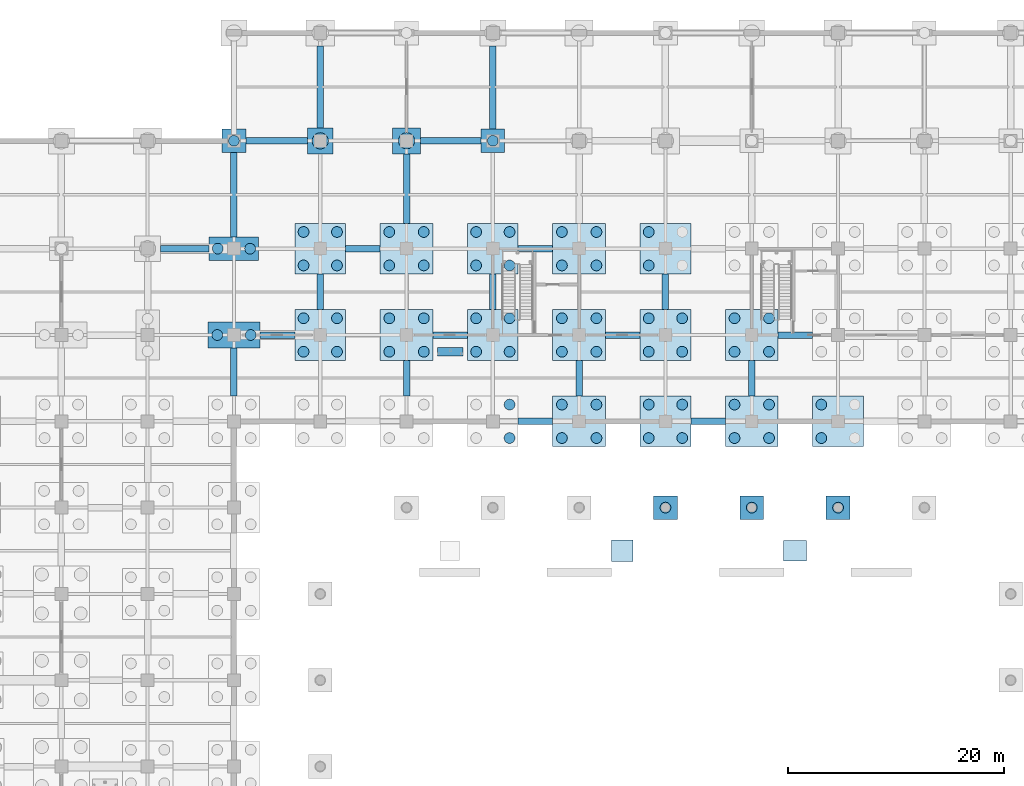
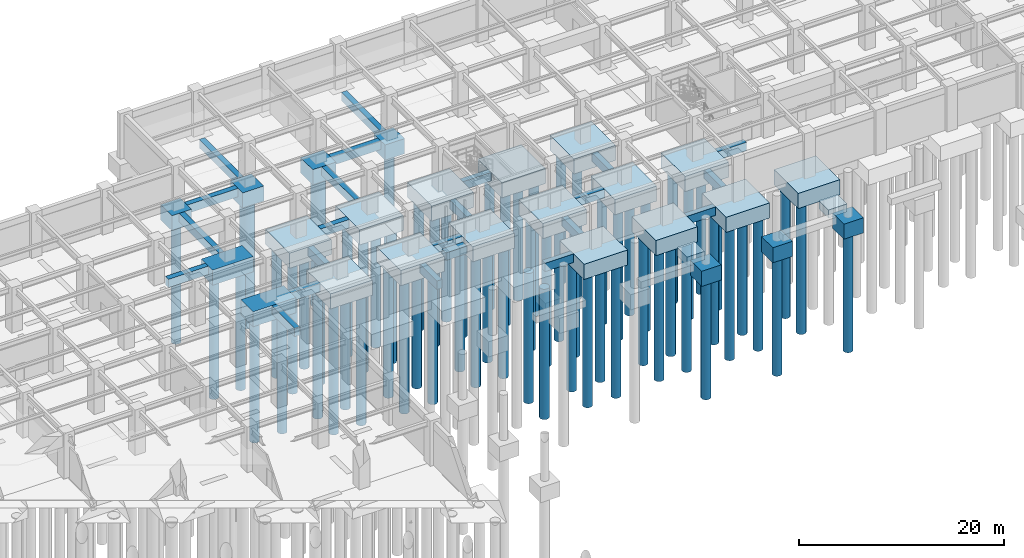
# One storey, part 16 of 97: 69 piles, 49 footings.
"""IFC4 building model written with IfcOpenShell, lengths in metres."""

from ifc_helpers import new_model, si_unit, direction, frame, origin, origin_2d, place, context, subcontext, project, spatial, rectangle, circle, extrude, material, layer, layer_set, material_profile, profile_set, type_object, element, save


model = new_model("IFC4")

# Units and contexts
model_context = context("Model", 3, precision=1e-05, world=origin(), true_north=direction((0.0, 1.0)))
body_context = subcontext(model_context, "Body", "Model", "MODEL_VIEW")
ifc_project = project(units=[si_unit("LENGTHUNIT", "METRE"), si_unit("AREAUNIT", "SQUARE_METRE"), si_unit("VOLUMEUNIT", "CUBIC_METRE"), si_unit("PLANEANGLEUNIT", "RADIAN"), si_unit("MASSUNIT", "GRAM", prefix="KILO")], contexts=[model_context])

# Site, building, storey
site_placement = place(None, origin())
site = spatial("IfcSite", under=ifc_project, at=site_placement, CompositionType="ELEMENT")
building_placement = place(site_placement, origin())
building = spatial("IfcBuilding", under=site, at=building_placement, Name="Haebicheon Civic Stadium", CompositionType="ELEMENT")
storey_placement = place(building_placement, frame((0.0, 0.0, -5.39990234375)))
storey = spatial("IfcBuildingStorey", under=building, at=storey_placement, Name="B1", CompositionType="ELEMENT", Elevation=-5.39990234375)

# Footings
ifc_material_1 = material(Name="Concrete C40/50", Category="concrete")
ifc_layer_1 = layer(ifc_material_1, 1.0, Name="Concrete C40/50")
ifc_layer_set_1 = layer_set([ifc_layer_1], Name="Concrete C40/50")
footing_type_1 = type_object("IfcFootingType", Name="FB-3200x600", PredefinedType="FOOTING_BEAM", material=ifc_layer_set_1)
for number, where, z_axis, x_axis, name in (
    (1, (75.949951171875, 168.0, -1.0), (0.0, 0.0, 1.0), (1.0, 0.0, 0.0), "Ground tie beam X 09-21"),
    (2, (84.050048828125, 160.0, -1.0), (0.0, 0.0, 1.0), (1.0, 0.0, 0.0), "Ground tie beam X 10-20"),
    (3, (91.949951171875, 152.0, -1.0), (0.0, 0.0, 1.0), (1.0, 0.0, 0.0), "Ground tie beam X 11-19"),
    (4, (91.949951171875, 168.0, -1.0), (0.0, 0.0, 1.0), (1.0, 0.0, 0.0), "Ground tie beam X 11-21"),
    (5, (100.050048828125, 160.0, -1.0), (0.0, 0.0, 1.0), (1.0, 0.0, 0.0), "Ground tie beam X 12-20"),
    (6, (107.949951171875, 152.0, -1.0), (0.0, 0.0, 1.0), (1.0, 0.0, 0.0), "Ground tie beam X 13-19"),
    (7, (116.050048828125, 160.0, -1.0), (0.0, 0.0, 1.0), (1.0, 0.0, 0.0), "Ground tie beam X 14-20"),
):
    element("IfcFooting", number, at=place(storey_placement, frame(where, z_axis=z_axis, x_axis=x_axis)), inside=storey, type_object=footing_type_1, material=ifc_layer_set_1, Name=name, PredefinedType="FOOTING_BEAM", context=body_context, shape_type="SweptSolid", body=[
        extrude(rectangle(XDim=3.199951171875, YDim=0.60009765625, at=origin_2d()), origin(), (0.0, 0.0, 1.0), 1.0),
    ])
ifc_material_2 = material(Name="Concrete C40/50", Category="concrete")
ifc_layer_2 = layer(ifc_material_2, 1.0, Name="Concrete C40/50")
ifc_layer_set_2 = layer_set([ifc_layer_2], Name="Concrete C40/50")
footing_type_2 = type_object("IfcFootingType", Name="FB-3250x600", PredefinedType="FOOTING_BEAM", material=ifc_layer_set_2)
footing_1_placement = place(storey_placement, frame((68.02490234375, 160.0, -1.0), z_axis=(0.0, 0.0, 1.0), x_axis=(1.0, 0.0, 0.0)))
element("IfcFooting", 8, at=footing_1_placement, inside=storey, type_object=footing_type_2, material=ifc_layer_set_2, Name="Ground tie beam X 08-20", PredefinedType="FOOTING_BEAM", context=body_context, shape_type="SweptSolid", body=[
    extrude(rectangle(XDim=3.25, YDim=0.60009765625, at=origin_2d()), origin(), (0.0, 0.0, 1.0), 1.0),
])
ifc_material_3 = material(Name="Concrete C40/50", Category="concrete")
ifc_layer_3 = layer(ifc_material_3, 1.0, Name="Concrete C40/50")
ifc_layer_set_3 = layer_set([ifc_layer_3], Name="Concrete C40/50")
footing_type_3 = type_object("IfcFootingType", Name="FB-3300x600", PredefinedType="FOOTING_BEAM", material=ifc_layer_set_3)
for number, where, z_axis, x_axis, name in (
    (9, (72.0, 164.0, -1.0), (0.0, 0.0, 1.0), (0.0, 1.0, 0.0), "Ground tie beam Y 09-20"),
    (10, (80.0, 156.0, -1.0), (0.0, 0.0, 1.0), (0.0, 1.0, 0.0), "Ground tie beam Y 10-19"),
    (11, (88.0, 164.0, -1.0), (0.0, 0.0, 1.0), (0.0, 1.0, 0.0), "Ground tie beam Y 11-20"),
    (12, (96.0, 156.0, -1.0), (0.0, 0.0, 1.0), (0.0, 1.0, 0.0), "Ground tie beam Y 12-19"),
    (13, (104.0, 164.0, -1.0), (0.0, 0.0, 1.0), (0.0, 1.0, 0.0), "Ground tie beam Y 13-20"),
    (14, (112.0, 156.0, -1.0), (0.0, 0.0, 1.0), (0.0, 1.0, 0.0), "Ground tie beam Y 14-19"),
):
    element("IfcFooting", number, at=place(storey_placement, frame(where, z_axis=z_axis, x_axis=x_axis)), inside=storey, type_object=footing_type_3, material=ifc_layer_set_3, Name=name, PredefinedType="FOOTING_BEAM", context=body_context, shape_type="SweptSolid", body=[
        extrude(rectangle(XDim=3.300048828125, YDim=0.60009765625, at=origin_2d()), origin(), (0.0, 0.0, 1.0), 1.0),
    ])
ifc_material_4 = material(Name="Concrete C40/50", Category="concrete")
ifc_layer_4 = layer(ifc_material_4, 1.0, Name="Concrete C40/50")
ifc_layer_set_4 = layer_set([ifc_layer_4], Name="Concrete C40/50")
footing_type_4 = type_object("IfcFootingType", Name="FB-4450x600", PredefinedType="FOOTING_BEAM", material=ifc_layer_set_4)
footing_2_placement = place(storey_placement, frame((64.0, 156.574951171875, -1.0), z_axis=(0.0, 0.0, 1.0), x_axis=(0.0, 1.0, 0.0)))
element("IfcFooting", 15, at=footing_2_placement, inside=storey, type_object=footing_type_4, material=ifc_layer_set_4, Name="Ground tie beam Y 08-19", PredefinedType="FOOTING_BEAM", context=body_context, shape_type="SweptSolid", body=[
    extrude(rectangle(XDim=4.449951171875, YDim=0.60009765625, at=origin_2d()), origin(), (0.0, 0.0, 1.0), 1.0),
])
ifc_material_5 = material(Name="Concrete C40/50", Category="concrete")
ifc_layer_5 = layer(ifc_material_5, 1.0, Name="Concrete C40/50")
ifc_layer_set_5 = layer_set([ifc_layer_5], Name="Concrete C40/50")
footing_type_5 = type_object("IfcFootingType", Name="FB-4500x600", PredefinedType="FOOTING_BEAM", material=ifc_layer_set_5)
footing_3_placement = place(storey_placement, frame((59.449951171875, 168.0, -1.0), z_axis=(0.0, 0.0, 1.0), x_axis=(1.0, 0.0, 0.0)))
element("IfcFooting", 16, at=footing_3_placement, inside=storey, type_object=footing_type_5, material=ifc_layer_set_5, Name="Ground tie beam X 07-21", PredefinedType="FOOTING_BEAM", context=body_context, shape_type="SweptSolid", body=[
    extrude(rectangle(XDim=4.5, YDim=0.60009765625, at=origin_2d()), origin(), (0.0, 0.0, 1.0), 1.0),
])
ifc_material_6 = material(Name="Concrete C40/50", Category="concrete")
ifc_layer_6 = layer(ifc_material_6, 1.0, Name="Concrete C40/50")
ifc_layer_set_6 = layer_set([ifc_layer_6], Name="Concrete C40/50")
footing_type_6 = type_object("IfcFootingType", Name="FB-5600x600", PredefinedType="FOOTING_BEAM", material=ifc_layer_set_6)
footing_4_placement = place(storey_placement, frame((84.10009765625, 178.0, -1.0), z_axis=(0.0, 0.0, 1.0), x_axis=(1.0, 0.0, 0.0)))
element("IfcFooting", 17, at=footing_4_placement, inside=storey, type_object=footing_type_6, material=ifc_layer_set_6, Name="Ground tie beam X 10-22", PredefinedType="FOOTING_BEAM", context=body_context, shape_type="SweptSolid", body=[
    extrude(rectangle(XDim=5.60009765625, YDim=0.60009765625, at=origin_2d()), origin(), (0.0, 0.0, 1.0), 1.0),
])
ifc_material_7 = material(Name="Concrete C40/50", Category="concrete")
ifc_layer_7 = layer(ifc_material_7, 1.0, Name="Concrete C40/50")
ifc_layer_set_7 = layer_set([ifc_layer_7], Name="Concrete C40/50")
footing_type_7 = type_object("IfcFootingType", Name="FB-5700x600", PredefinedType="FOOTING_BEAM", material=ifc_layer_set_7)
footing_5_placement = place(storey_placement, frame((67.949951171875, 178.0, -1.0), z_axis=(0.0, 0.0, 1.0), x_axis=(1.0, 0.0, 0.0)))
element("IfcFooting", 18, at=footing_5_placement, inside=storey, type_object=footing_type_7, material=ifc_layer_set_7, Name="Ground tie beam X 08-22", PredefinedType="FOOTING_BEAM", context=body_context, shape_type="SweptSolid", body=[
    extrude(rectangle(XDim=5.699951171875, YDim=0.60009765625, at=origin_2d()), origin(), (0.0, 0.0, 1.0), 1.0),
])
ifc_material_8 = material(Name="Concrete C40/50", Category="concrete")
ifc_layer_8 = layer(ifc_material_8, 1.0, Name="Concrete C40/50")
ifc_layer_set_8 = layer_set([ifc_layer_8], Name="Concrete C40/50")
footing_type_8 = type_object("IfcFootingType", Name="FB-6450x600", PredefinedType="FOOTING_BEAM", material=ifc_layer_set_8)
footing_6_placement = place(storey_placement, frame((80.0, 173.574951171875, -1.0), z_axis=(0.0, 0.0, 1.0), x_axis=(0.0, 1.0, 0.0)))
element("IfcFooting", 19, at=footing_6_placement, inside=storey, type_object=footing_type_8, material=ifc_layer_set_8, Name="Ground tie beam Y 10-21", PredefinedType="FOOTING_BEAM", context=body_context, shape_type="SweptSolid", body=[
    extrude(rectangle(XDim=6.449951171875, YDim=0.60009765625, at=origin_2d()), origin(), (0.0, 0.0, 1.0), 1.0),
])
ifc_material_9 = material(Name="Concrete C40/50", Category="concrete")
ifc_layer_9 = layer(ifc_material_9, 1.0, Name="Concrete C40/50")
ifc_layer_set_9 = layer_set([ifc_layer_9], Name="Concrete C40/50")
footing_type_9 = type_object("IfcFootingType", Name="FB-7600x600", PredefinedType="FOOTING_BEAM", material=ifc_layer_set_9)
footing_7_placement = place(storey_placement, frame((72.0, 183.0, -1.0), z_axis=(0.0, 0.0, 1.0), x_axis=(0.0, 1.0, 0.0)))
element("IfcFooting", 20, at=footing_7_placement, inside=storey, type_object=footing_type_9, material=ifc_layer_set_9, Name="Ground tie beam Y 09-22", PredefinedType="FOOTING_BEAM", context=body_context, shape_type="SweptSolid", body=[
    extrude(rectangle(XDim=7.60009765625, YDim=0.60009765625, at=origin_2d()), origin(), (0.0, 0.0, 1.0), 1.0),
])
ifc_material_10 = material(Name="Concrete C40/50", Category="concrete")
ifc_layer_10 = layer(ifc_material_10, 1.0, Name="Concrete C40/50")
ifc_layer_set_10 = layer_set([ifc_layer_10], Name="Concrete C40/50")
footing_type_10 = type_object("IfcFootingType", Name="FB-7700x600", PredefinedType="FOOTING_BEAM", material=ifc_layer_set_10)
footing_8_placement = place(storey_placement, frame((88.0, 182.949951171875, -1.0), z_axis=(0.0, 0.0, 1.0), x_axis=(0.0, 1.0, 0.0)))
element("IfcFooting", 21, at=footing_8_placement, inside=storey, type_object=footing_type_10, material=ifc_layer_set_10, Name="Ground tie beam Y 11-22", PredefinedType="FOOTING_BEAM", context=body_context, shape_type="SweptSolid", body=[
    extrude(rectangle(XDim=7.699951171875, YDim=0.60009765625, at=origin_2d()), origin(), (0.0, 0.0, 1.0), 1.0),
])
ifc_material_11 = material(Name="Concrete C40/50", Category="concrete")
ifc_layer_11 = layer(ifc_material_11, 1.0, Name="Concrete C40/50")
ifc_layer_set_11 = layer_set([ifc_layer_11], Name="Concrete C40/50")
footing_type_11 = type_object("IfcFootingType", Name="FB-7800x600", PredefinedType="FOOTING_BEAM", material=ifc_layer_set_11)
footing_9_placement = place(storey_placement, frame((64.0, 173.0, -1.0), z_axis=(0.0, 0.0, 1.0), x_axis=(0.0, 1.0, 0.0)))
element("IfcFooting", 22, at=footing_9_placement, inside=storey, type_object=footing_type_11, material=ifc_layer_set_11, Name="Ground tie beam Y 08-21", PredefinedType="FOOTING_BEAM", context=body_context, shape_type="SweptSolid", body=[
    extrude(rectangle(XDim=7.800048828125, YDim=0.60009765625, at=origin_2d()), origin(), (0.0, 0.0, 1.0), 1.0),
])
ifc_material_12 = material(Name="Concrete C40/50", Category="concrete")
ifc_layer_12 = layer(ifc_material_12, 1.800048828125, Name="Concrete C40/50")
ifc_layer_set_12 = layer_set([ifc_layer_12], Name="Concrete C40/50")
footing_type_12 = type_object("IfcFootingType", Name="PC-1P-2200", PredefinedType="PILE_CAP", material=ifc_layer_set_12)
for number, where, z_axis, x_axis, name in (
    (23, (64.0, 178.0, -1.80029296875), (0.0, 0.0, 1.0), (1.0, 0.0, 0.0), "Pile cap FT-PC-08-22"),
    (24, (88.0, 178.0, -1.80029296875), (0.0, 0.0, 1.0), (1.0, 0.0, 0.0), "Pile cap FT-PC-11-22"),
    (25, (104.0, 144.0, -1.80029296875), (0.0, 0.0, 1.0), (1.0, 0.0, 0.0), "Bowl pier pile cap FT-BPC-028"),
    (26, (112.0, 144.0, -1.80029296875), (0.0, 0.0, 1.0), (1.0, 0.0, 0.0), "Bowl pier pile cap FT-BPC-029"),
    (27, (120.0, 144.0, -1.80029296875), (0.0, 0.0, 1.0), (1.0, 0.0, 0.0), "Bowl pier pile cap FT-BPC-030"),
):
    element("IfcFooting", number, at=place(storey_placement, frame(where, z_axis=z_axis, x_axis=x_axis)), inside=storey, type_object=footing_type_12, material=ifc_layer_set_12, Name=name, PredefinedType="PILE_CAP", context=body_context, shape_type="SweptSolid", body=[
        extrude(rectangle(XDim=2.199951171875, YDim=2.199951171875, at=origin_2d()), origin(), (0.0, 0.0, 1.0), 1.800048828125),
    ])
ifc_material_13 = material(Name="Concrete C40/50", Category="concrete")
ifc_layer_13 = layer(ifc_material_13, 1.800048828125, Name="Concrete C40/50")
ifc_layer_set_13 = layer_set([ifc_layer_13], Name="Concrete C40/50")
footing_type_13 = type_object("IfcFootingType", Name="PC-1P-2400", PredefinedType="PILE_CAP", material=ifc_layer_set_13)
footing_10_placement = place(storey_placement, frame((72.0, 178.0, -1.80029296875), z_axis=(0.0, 0.0, 1.0), x_axis=(1.0, 0.0, 0.0)))
element("IfcFooting", 28, at=footing_10_placement, inside=storey, type_object=footing_type_13, material=ifc_layer_set_13, Name="Pile cap FT-PC-09-22", PredefinedType="PILE_CAP", context=body_context, shape_type="SweptSolid", body=[
    extrude(rectangle(XDim=2.39990234375, YDim=2.39990234375, at=origin_2d()), origin(), (0.0, 0.0, 1.0), 1.800048828125),
])
ifc_material_14 = material(Name="Concrete C40/50", Category="concrete")
ifc_layer_14 = layer(ifc_material_14, 1.800048828125, Name="Concrete C40/50")
ifc_layer_set_14 = layer_set([ifc_layer_14], Name="Concrete C40/50")
footing_type_14 = type_object("IfcFootingType", Name="PC-1P-2600", PredefinedType="PILE_CAP", material=ifc_layer_set_14)
footing_11_placement = place(storey_placement, frame((80.0, 178.0, -1.80029296875), z_axis=(0.0, 0.0, 1.0), x_axis=(1.0, 0.0, 0.0)))
element("IfcFooting", 29, at=footing_11_placement, inside=storey, type_object=footing_type_14, material=ifc_layer_set_14, Name="Pile cap FT-PC-10-22", PredefinedType="PILE_CAP", context=body_context, shape_type="SweptSolid", body=[
    extrude(rectangle(XDim=2.60009765625, YDim=2.39990234375, at=origin_2d()), origin(), (0.0, 0.0, 1.0), 1.800048828125),
])
ifc_material_15 = material(Name="Concrete C40/50", Category="concrete")
ifc_layer_15 = layer(ifc_material_15, 1.800048828125, Name="Concrete C40/50")
ifc_layer_set_15 = layer_set([ifc_layer_15], Name="Concrete C40/50")
footing_type_15 = type_object("IfcFootingType", Name="PC-2P-4600", PredefinedType="PILE_CAP", material=ifc_layer_set_15)
footing_12_placement = place(storey_placement, frame((64.0, 168.0, -1.80029296875), z_axis=(0.0, 0.0, 1.0), x_axis=(1.0, 0.0, 0.0)))
element("IfcFooting", 30, at=footing_12_placement, inside=storey, type_object=footing_type_15, material=ifc_layer_set_15, Name="Pile cap FT-PC-08-21", PredefinedType="PILE_CAP", context=body_context, shape_type="SweptSolid", body=[
    extrude(rectangle(XDim=4.60009765625, YDim=2.199951171875, at=origin_2d()), origin(), (0.0, 0.0, 1.0), 1.800048828125),
])
ifc_material_16 = material(Name="Concrete C40/50", Category="concrete")
ifc_layer_16 = layer(ifc_material_16, 1.800048828125, Name="Concrete C40/50")
ifc_layer_set_16 = layer_set([ifc_layer_16], Name="Concrete C40/50")
footing_type_16 = type_object("IfcFootingType", Name="PC-2P-4800", PredefinedType="PILE_CAP", material=ifc_layer_set_16)
footing_13_placement = place(storey_placement, frame((64.0, 160.0, -1.80029296875), z_axis=(0.0, 0.0, 1.0), x_axis=(1.0, 0.0, 0.0)))
element("IfcFooting", 31, at=footing_13_placement, inside=storey, type_object=footing_type_16, material=ifc_layer_set_16, Name="Pile cap FT-PC-08-20", PredefinedType="PILE_CAP", context=body_context, shape_type="SweptSolid", body=[
    extrude(rectangle(XDim=4.800048828125, YDim=2.39990234375, at=origin_2d()), origin(), (0.0, 0.0, 1.0), 1.800048828125),
])
ifc_material_17 = material(Name="Concrete C40/50", Category="concrete")
ifc_layer_17 = layer(ifc_material_17, 1.800048828125, Name="Concrete C40/50")
ifc_layer_set_17 = layer_set([ifc_layer_17], Name="Concrete C40/50")
footing_type_17 = type_object("IfcFootingType", Name="PC-4P-4700", PredefinedType="PILE_CAP", material=ifc_layer_set_17)
for number, where, z_axis, x_axis, name in (
    (32, (72.0, 160.0, -1.80029296875), (0.0, 0.0, 1.0), (1.0, 0.0, 0.0), "Pile cap FT-PC-09-20"),
    (33, (72.0, 168.0, -1.80029296875), (0.0, 0.0, 1.0), (1.0, 0.0, 0.0), "Pile cap FT-PC-09-21"),
    (34, (88.0, 160.0, -1.80029296875), (0.0, 0.0, 1.0), (1.0, 0.0, 0.0), "Pile cap FT-PC-11-20"),
    (35, (88.0, 168.0, -1.80029296875), (0.0, 0.0, 1.0), (1.0, 0.0, 0.0), "Pile cap FT-PC-11-21"),
    (36, (104.0, 152.0, -1.80029296875), (0.0, 0.0, 1.0), (1.0, 0.0, 0.0), "Pile cap FT-PC-13-19"),
    (37, (104.0, 160.0, -1.80029296875), (0.0, 0.0, 1.0), (1.0, 0.0, 0.0), "Pile cap FT-PC-13-20"),
    (38, (104.0, 168.0, -1.80029296875), (0.0, 0.0, 1.0), (1.0, 0.0, 0.0), "Pile cap FT-PC-13-21"),
    (39, (120.0, 152.0, -1.80029296875), (0.0, 0.0, 1.0), (1.0, 0.0, 0.0), "Pile cap FT-PC-15-19"),
):
    element("IfcFooting", number, at=place(storey_placement, frame(where, z_axis=z_axis, x_axis=x_axis)), inside=storey, type_object=footing_type_17, material=ifc_layer_set_17, Name=name, PredefinedType="PILE_CAP", context=body_context, shape_type="SweptSolid", body=[
        extrude(rectangle(XDim=4.699951171875, YDim=4.699951171875, at=origin_2d()), origin(), (0.0, 0.0, 1.0), 1.800048828125),
    ])
ifc_material_18 = material(Name="Concrete C40/50", Category="concrete")
ifc_layer_18 = layer(ifc_material_18, 1.800048828125, Name="Concrete C40/50")
ifc_layer_set_18 = layer_set([ifc_layer_18], Name="Concrete C40/50")
footing_type_18 = type_object("IfcFootingType", Name="PC-4P-4900", PredefinedType="PILE_CAP", material=ifc_layer_set_18)
for number, where, z_axis, x_axis, name in (
    (40, (80.0, 160.0, -1.80029296875), (0.0, 0.0, 1.0), (1.0, 0.0, 0.0), "Pile cap FT-PC-10-20"),
    (41, (80.0, 168.0, -1.80029296875), (0.0, 0.0, 1.0), (1.0, 0.0, 0.0), "Pile cap FT-PC-10-21"),
    (42, (96.0, 152.0, -1.80029296875), (0.0, 0.0, 1.0), (1.0, 0.0, 0.0), "Pile cap FT-PC-12-19"),
    (43, (96.0, 160.0, -1.80029296875), (0.0, 0.0, 1.0), (1.0, 0.0, 0.0), "Pile cap FT-PC-12-20"),
    (44, (96.0, 168.0, -1.80029296875), (0.0, 0.0, 1.0), (1.0, 0.0, 0.0), "Pile cap FT-PC-12-21"),
    (45, (112.0, 152.0, -1.80029296875), (0.0, 0.0, 1.0), (1.0, 0.0, 0.0), "Pile cap FT-PC-14-19"),
    (46, (112.0, 160.0, -1.80029296875), (0.0, 0.0, 1.0), (1.0, 0.0, 0.0), "Pile cap FT-PC-14-20"),
):
    element("IfcFooting", number, at=place(storey_placement, frame(where, z_axis=z_axis, x_axis=x_axis)), inside=storey, type_object=footing_type_18, material=ifc_layer_set_18, Name=name, PredefinedType="PILE_CAP", context=body_context, shape_type="SweptSolid", body=[
        extrude(rectangle(XDim=4.89990234375, YDim=4.699951171875, at=origin_2d()), origin(), (0.0, 0.0, 1.0), 1.800048828125),
    ])
ifc_material_19 = material(Name="Concrete C35/45", Category="concrete")
ifc_layer_19 = layer(ifc_material_19, 1.0, Name="Concrete C35/45")
ifc_layer_set_19 = layer_set([ifc_layer_19], Name="Concrete C35/45")
footing_type_19 = type_object("IfcFootingType", Name="PF-2000", PredefinedType="PAD_FOOTING", material=ifc_layer_set_19)
footing_14_placement = place(storey_placement, frame((100.0, 140.0, 4.39990234375), z_axis=(0.0, 0.0, 1.0), x_axis=(1.0, 0.0, 0.0)))
element("IfcFooting", 47, at=footing_14_placement, inside=storey, type_object=footing_type_19, material=ifc_layer_set_19, Name="Floodlight/scoreboard pad footing 05", PredefinedType="PAD_FOOTING", context=body_context, shape_type="SweptSolid", body=[
    extrude(rectangle(XDim=2.0, YDim=2.0, at=origin_2d()), origin(), (0.0, 0.0, 1.0), 1.0),
])
ifc_material_20 = material(Name="Concrete C35/45", Category="concrete")
ifc_layer_20 = layer(ifc_material_20, 0.949951171875, Name="Concrete C35/45")
ifc_layer_set_20 = layer_set([ifc_layer_20], Name="Concrete C35/45")
footing_type_20 = type_object("IfcFootingType", Name="PF-2100x1900", PredefinedType="PAD_FOOTING", material=ifc_layer_set_20)
footing_15_placement = place(storey_placement, frame((116.0, 140.0, 4.44970703125), z_axis=(0.0, 0.0, 1.0), x_axis=(1.0, 0.0, 0.0)))
element("IfcFooting", 48, at=footing_15_placement, inside=storey, type_object=footing_type_20, material=ifc_layer_set_20, Name="Floodlight/scoreboard pad footing 06", PredefinedType="PAD_FOOTING", context=body_context, shape_type="SweptSolid", body=[
    extrude(rectangle(XDim=2.10009765625, YDim=1.89990234375, at=origin_2d()), origin(), (0.0, 0.0, 1.0), 0.949951171875),
])
ifc_material_21 = material(Name="Concrete C35/45", Category="concrete")
ifc_layer_21 = layer(ifc_material_21, 0.89990234375, Name="Concrete C35/45")
ifc_layer_set_21 = layer_set([ifc_layer_21], Name="Concrete C35/45")
footing_type_21 = type_object("IfcFootingType", Name="PF-2360x800", PredefinedType="PAD_FOOTING", material=ifc_layer_set_21)
footing_16_placement = place(storey_placement, frame((84.050048828125, 158.449951171875, -0.900146484375), z_axis=(0.0, 0.0, 1.0), x_axis=(1.0, 0.0, 0.0)))
element("IfcFooting", 49, at=footing_16_placement, inside=storey, type_object=footing_type_21, material=ifc_layer_set_21, Name="VM-09 vomitory landing pad footing", PredefinedType="PAD_FOOTING", context=body_context, shape_type="SweptSolid", body=[
    extrude(rectangle(XDim=2.360107421875, YDim=0.800048828125, at=origin_2d()), origin(), (0.0, 0.0, 1.0), 0.89990234375),
])

# Piles
ifc_material_22 = material(Name="Concrete C40/50", Category="concrete")
ifc_material_profile_1 = material_profile(ifc_material_22, circle(Radius=0.5, at=origin_2d()), Name="PILE-D1000")
ifc_profile_set_1 = profile_set([ifc_material_profile_1], Name="Concrete C40/50")
pile_type_1 = type_object("IfcPileType", Name="PL-D1000", PredefinedType="BORED", material=ifc_profile_set_1)
for number, where, z_axis, x_axis, name in (
    (50, (62.449951171875, 160.0, -1.7001953125), (0.0, 0.0, -1.0), (1.0, 0.0, 0.0), "Bored pile 08-20-1"),
    (51, (65.550048828125, 160.0, -1.7001953125), (0.0, 0.0, -1.0), (1.0, 0.0, 0.0), "Bored pile 08-20-2"),
):
    element("IfcPile", number, at=place(storey_placement, frame(where, z_axis=z_axis, x_axis=x_axis)), inside=storey, type_object=pile_type_1, material=ifc_profile_set_1, Name=name, PredefinedType="BORED", context=body_context, shape_type="SweptSolid", body=[
        extrude(circle(Radius=0.5, at=origin_2d()), origin(), (0.0, 0.0, 1.0), 14.60009765625),
    ])
for number, where, z_axis, x_axis, name in (
    (52, (62.5, 168.0, -1.7001953125), (0.0, 0.0, -1.0), (1.0, 0.0, 0.0), "Bored pile 08-21-1"),
    (53, (65.5, 168.0, -1.7001953125), (0.0, 0.0, -1.0), (1.0, 0.0, 0.0), "Bored pile 08-21-2"),
    (54, (64.0, 178.0, -1.7001953125), (0.0, 0.0, -1.0), (1.0, 0.0, 0.0), "Bored pile 08-22-1"),
):
    element("IfcPile", number, at=place(storey_placement, frame(where, z_axis=z_axis, x_axis=x_axis)), inside=storey, type_object=pile_type_1, material=ifc_profile_set_1, Name=name, PredefinedType="BORED", context=body_context, shape_type="SweptSolid", body=[
        extrude(circle(Radius=0.5, at=origin_2d()), origin(), (0.0, 0.0, 1.0), 14.300048828125),
    ])
for number, where, z_axis, x_axis, name in (
    (55, (70.449951171875, 158.449951171875, -1.7001953125), (0.0, 0.0, -1.0), (1.0, 0.0, 0.0), "Bored pile 09-20-1"),
    (56, (73.550048828125, 158.449951171875, -1.7001953125), (0.0, 0.0, -1.0), (1.0, 0.0, 0.0), "Bored pile 09-20-2"),
    (57, (70.449951171875, 161.550048828125, -1.7001953125), (0.0, 0.0, -1.0), (1.0, 0.0, 0.0), "Bored pile 09-20-3"),
    (58, (73.550048828125, 161.550048828125, -1.7001953125), (0.0, 0.0, -1.0), (1.0, 0.0, 0.0), "Bored pile 09-20-4"),
    (59, (70.449951171875, 166.449951171875, -1.7001953125), (0.0, 0.0, -1.0), (1.0, 0.0, 0.0), "Bored pile 09-21-1"),
    (60, (73.550048828125, 166.449951171875, -1.7001953125), (0.0, 0.0, -1.0), (1.0, 0.0, 0.0), "Bored pile 09-21-2"),
    (61, (70.449951171875, 169.550048828125, -1.7001953125), (0.0, 0.0, -1.0), (1.0, 0.0, 0.0), "Bored pile 09-21-3"),
    (62, (73.550048828125, 169.550048828125, -1.7001953125), (0.0, 0.0, -1.0), (1.0, 0.0, 0.0), "Bored pile 09-21-4"),
):
    element("IfcPile", number, at=place(storey_placement, frame(where, z_axis=z_axis, x_axis=x_axis)), inside=storey, type_object=pile_type_1, material=ifc_profile_set_1, Name=name, PredefinedType="BORED", context=body_context, shape_type="SweptSolid", body=[
        extrude(circle(Radius=0.5, at=origin_2d()), origin(), (0.0, 0.0, 1.0), 15.5),
    ])
for number, where, z_axis, x_axis, name in (
    (63, (78.39990234375, 158.449951171875, -1.7001953125), (0.0, 0.0, -1.0), (1.0, 0.0, 0.0), "Bored pile 10-20-1"),
    (64, (81.60009765625, 158.449951171875, -1.7001953125), (0.0, 0.0, -1.0), (1.0, 0.0, 0.0), "Bored pile 10-20-2"),
    (65, (78.39990234375, 161.550048828125, -1.7001953125), (0.0, 0.0, -1.0), (1.0, 0.0, 0.0), "Bored pile 10-20-3"),
    (66, (81.60009765625, 161.550048828125, -1.7001953125), (0.0, 0.0, -1.0), (1.0, 0.0, 0.0), "Bored pile 10-20-4"),
    (67, (78.39990234375, 166.449951171875, -1.7001953125), (0.0, 0.0, -1.0), (1.0, 0.0, 0.0), "Bored pile 10-21-1"),
    (68, (81.60009765625, 166.449951171875, -1.7001953125), (0.0, 0.0, -1.0), (1.0, 0.0, 0.0), "Bored pile 10-21-2"),
    (69, (78.39990234375, 169.550048828125, -1.7001953125), (0.0, 0.0, -1.0), (1.0, 0.0, 0.0), "Bored pile 10-21-3"),
    (70, (81.60009765625, 169.550048828125, -1.7001953125), (0.0, 0.0, -1.0), (1.0, 0.0, 0.0), "Bored pile 10-21-4"),
):
    element("IfcPile", number, at=place(storey_placement, frame(where, z_axis=z_axis, x_axis=x_axis)), inside=storey, type_object=pile_type_1, material=ifc_profile_set_1, Name=name, PredefinedType="BORED", context=body_context, shape_type="SweptSolid", body=[
        extrude(circle(Radius=0.5, at=origin_2d()), origin(), (0.0, 0.0, 1.0), 15.800048828125),
    ])
for number, where, z_axis, x_axis, name in (
    (71, (89.550048828125, 150.449951171875, -1.7001953125), (0.0, 0.0, -1.0), (1.0, 0.0, 0.0), "Bored pile 11-19-2"),
    (72, (89.550048828125, 153.550048828125, -1.7001953125), (0.0, 0.0, -1.0), (1.0, 0.0, 0.0), "Bored pile 11-19-4"),
    (73, (86.449951171875, 158.449951171875, -1.7001953125), (0.0, 0.0, -1.0), (1.0, 0.0, 0.0), "Bored pile 11-20-1"),
    (74, (89.550048828125, 158.449951171875, -1.7001953125), (0.0, 0.0, -1.0), (1.0, 0.0, 0.0), "Bored pile 11-20-2"),
    (75, (86.449951171875, 161.550048828125, -1.7001953125), (0.0, 0.0, -1.0), (1.0, 0.0, 0.0), "Bored pile 11-20-3"),
    (76, (89.550048828125, 161.550048828125, -1.7001953125), (0.0, 0.0, -1.0), (1.0, 0.0, 0.0), "Bored pile 11-20-4"),
    (77, (86.449951171875, 166.449951171875, -1.7001953125), (0.0, 0.0, -1.0), (1.0, 0.0, 0.0), "Bored pile 11-21-1"),
    (78, (89.550048828125, 166.449951171875, -1.7001953125), (0.0, 0.0, -1.0), (1.0, 0.0, 0.0), "Bored pile 11-21-2"),
    (79, (86.449951171875, 169.550048828125, -1.7001953125), (0.0, 0.0, -1.0), (1.0, 0.0, 0.0), "Bored pile 11-21-3"),
    (80, (89.550048828125, 169.550048828125, -1.7001953125), (0.0, 0.0, -1.0), (1.0, 0.0, 0.0), "Bored pile 11-21-4"),
):
    element("IfcPile", number, at=place(storey_placement, frame(where, z_axis=z_axis, x_axis=x_axis)), inside=storey, type_object=pile_type_1, material=ifc_profile_set_1, Name=name, PredefinedType="BORED", context=body_context, shape_type="SweptSolid", body=[
        extrude(circle(Radius=0.5, at=origin_2d()), origin(), (0.0, 0.0, 1.0), 15.5),
    ])
pile_1_placement = place(storey_placement, frame((88.0, 178.0, -1.7001953125), z_axis=(0.0, 0.0, -1.0), x_axis=(1.0, 0.0, 0.0)))
element("IfcPile", 81, at=pile_1_placement, inside=storey, type_object=pile_type_1, material=ifc_profile_set_1, Name="Bored pile 11-22-1", PredefinedType="BORED", context=body_context, shape_type="SweptSolid", body=[
    extrude(circle(Radius=0.5, at=origin_2d()), origin(), (0.0, 0.0, 1.0), 14.300048828125),
])
for number, where, z_axis, x_axis, name in (
    (82, (94.39990234375, 150.449951171875, -1.7001953125), (0.0, 0.0, -1.0), (1.0, 0.0, 0.0), "Bored pile 12-19-1"),
    (83, (97.60009765625, 150.449951171875, -1.7001953125), (0.0, 0.0, -1.0), (1.0, 0.0, 0.0), "Bored pile 12-19-2"),
    (84, (94.39990234375, 153.550048828125, -1.7001953125), (0.0, 0.0, -1.0), (1.0, 0.0, 0.0), "Bored pile 12-19-3"),
    (85, (97.60009765625, 153.550048828125, -1.7001953125), (0.0, 0.0, -1.0), (1.0, 0.0, 0.0), "Bored pile 12-19-4"),
    (86, (94.39990234375, 158.449951171875, -1.7001953125), (0.0, 0.0, -1.0), (1.0, 0.0, 0.0), "Bored pile 12-20-1"),
    (87, (97.60009765625, 158.449951171875, -1.7001953125), (0.0, 0.0, -1.0), (1.0, 0.0, 0.0), "Bored pile 12-20-2"),
    (88, (94.39990234375, 161.550048828125, -1.7001953125), (0.0, 0.0, -1.0), (1.0, 0.0, 0.0), "Bored pile 12-20-3"),
    (89, (97.60009765625, 161.550048828125, -1.7001953125), (0.0, 0.0, -1.0), (1.0, 0.0, 0.0), "Bored pile 12-20-4"),
    (90, (94.39990234375, 166.449951171875, -1.7001953125), (0.0, 0.0, -1.0), (1.0, 0.0, 0.0), "Bored pile 12-21-1"),
    (91, (97.60009765625, 166.449951171875, -1.7001953125), (0.0, 0.0, -1.0), (1.0, 0.0, 0.0), "Bored pile 12-21-2"),
    (92, (94.39990234375, 169.550048828125, -1.7001953125), (0.0, 0.0, -1.0), (1.0, 0.0, 0.0), "Bored pile 12-21-3"),
    (93, (97.60009765625, 169.550048828125, -1.7001953125), (0.0, 0.0, -1.0), (1.0, 0.0, 0.0), "Bored pile 12-21-4"),
):
    element("IfcPile", number, at=place(storey_placement, frame(where, z_axis=z_axis, x_axis=x_axis)), inside=storey, type_object=pile_type_1, material=ifc_profile_set_1, Name=name, PredefinedType="BORED", context=body_context, shape_type="SweptSolid", body=[
        extrude(circle(Radius=0.5, at=origin_2d()), origin(), (0.0, 0.0, 1.0), 15.800048828125),
    ])
for number, where, z_axis, x_axis, name in (
    (94, (102.449951171875, 150.449951171875, -1.7001953125), (0.0, 0.0, -1.0), (1.0, 0.0, 0.0), "Bored pile 13-19-1"),
    (95, (105.550048828125, 150.449951171875, -1.7001953125), (0.0, 0.0, -1.0), (1.0, 0.0, 0.0), "Bored pile 13-19-2"),
    (96, (102.449951171875, 153.550048828125, -1.7001953125), (0.0, 0.0, -1.0), (1.0, 0.0, 0.0), "Bored pile 13-19-3"),
    (97, (105.550048828125, 153.550048828125, -1.7001953125), (0.0, 0.0, -1.0), (1.0, 0.0, 0.0), "Bored pile 13-19-4"),
    (98, (102.449951171875, 158.449951171875, -1.7001953125), (0.0, 0.0, -1.0), (1.0, 0.0, 0.0), "Bored pile 13-20-1"),
    (99, (105.550048828125, 158.449951171875, -1.7001953125), (0.0, 0.0, -1.0), (1.0, 0.0, 0.0), "Bored pile 13-20-2"),
    (100, (102.449951171875, 161.550048828125, -1.7001953125), (0.0, 0.0, -1.0), (1.0, 0.0, 0.0), "Bored pile 13-20-3"),
    (101, (105.550048828125, 161.550048828125, -1.7001953125), (0.0, 0.0, -1.0), (1.0, 0.0, 0.0), "Bored pile 13-20-4"),
    (102, (102.449951171875, 166.449951171875, -1.7001953125), (0.0, 0.0, -1.0), (1.0, 0.0, 0.0), "Bored pile 13-21-1"),
    (103, (102.449951171875, 169.550048828125, -1.7001953125), (0.0, 0.0, -1.0), (1.0, 0.0, 0.0), "Bored pile 13-21-3"),
):
    element("IfcPile", number, at=place(storey_placement, frame(where, z_axis=z_axis, x_axis=x_axis)), inside=storey, type_object=pile_type_1, material=ifc_profile_set_1, Name=name, PredefinedType="BORED", context=body_context, shape_type="SweptSolid", body=[
        extrude(circle(Radius=0.5, at=origin_2d()), origin(), (0.0, 0.0, 1.0), 15.5),
    ])
for number, where, z_axis, x_axis, name in (
    (104, (110.39990234375, 150.449951171875, -1.7001953125), (0.0, 0.0, -1.0), (1.0, 0.0, 0.0), "Bored pile 14-19-1"),
    (105, (113.60009765625, 150.449951171875, -1.7001953125), (0.0, 0.0, -1.0), (1.0, 0.0, 0.0), "Bored pile 14-19-2"),
    (106, (110.39990234375, 153.550048828125, -1.7001953125), (0.0, 0.0, -1.0), (1.0, 0.0, 0.0), "Bored pile 14-19-3"),
    (107, (113.60009765625, 153.550048828125, -1.7001953125), (0.0, 0.0, -1.0), (1.0, 0.0, 0.0), "Bored pile 14-19-4"),
    (108, (110.39990234375, 158.449951171875, -1.7001953125), (0.0, 0.0, -1.0), (1.0, 0.0, 0.0), "Bored pile 14-20-1"),
    (109, (113.60009765625, 158.449951171875, -1.7001953125), (0.0, 0.0, -1.0), (1.0, 0.0, 0.0), "Bored pile 14-20-2"),
    (110, (110.39990234375, 161.550048828125, -1.7001953125), (0.0, 0.0, -1.0), (1.0, 0.0, 0.0), "Bored pile 14-20-3"),
    (111, (113.60009765625, 161.550048828125, -1.7001953125), (0.0, 0.0, -1.0), (1.0, 0.0, 0.0), "Bored pile 14-20-4"),
):
    element("IfcPile", number, at=place(storey_placement, frame(where, z_axis=z_axis, x_axis=x_axis)), inside=storey, type_object=pile_type_1, material=ifc_profile_set_1, Name=name, PredefinedType="BORED", context=body_context, shape_type="SweptSolid", body=[
        extrude(circle(Radius=0.5, at=origin_2d()), origin(), (0.0, 0.0, 1.0), 15.800048828125),
    ])
for number, where, z_axis, x_axis, name in (
    (112, (118.449951171875, 150.449951171875, -1.7001953125), (0.0, 0.0, -1.0), (1.0, 0.0, 0.0), "Bored pile 15-19-1"),
    (113, (118.449951171875, 153.550048828125, -1.7001953125), (0.0, 0.0, -1.0), (1.0, 0.0, 0.0), "Bored pile 15-19-3"),
):
    element("IfcPile", number, at=place(storey_placement, frame(where, z_axis=z_axis, x_axis=x_axis)), inside=storey, type_object=pile_type_1, material=ifc_profile_set_1, Name=name, PredefinedType="BORED", context=body_context, shape_type="SweptSolid", body=[
        extrude(circle(Radius=0.5, at=origin_2d()), origin(), (0.0, 0.0, 1.0), 15.5),
    ])
for number, where, z_axis, x_axis, name in (
    (114, (104.0, 144.0, -1.7001953125), (0.0, 0.0, -1.0), (1.0, 0.0, 0.0), "Bowl pier bored pile 028"),
    (115, (112.0, 144.0, -1.7001953125), (0.0, 0.0, -1.0), (1.0, 0.0, 0.0), "Bowl pier bored pile 029"),
    (116, (120.0, 144.0, -1.7001953125), (0.0, 0.0, -1.0), (1.0, 0.0, 0.0), "Bowl pier bored pile 030"),
):
    element("IfcPile", number, at=place(storey_placement, frame(where, z_axis=z_axis, x_axis=x_axis)), inside=storey, type_object=pile_type_1, material=ifc_profile_set_1, Name=name, PredefinedType="BORED", context=body_context, shape_type="SweptSolid", body=[
        extrude(circle(Radius=0.5, at=origin_2d()), origin(), (0.0, 0.0, 1.0), 14.300048828125),
    ])
ifc_material_23 = material(Name="Concrete C40/50", Category="concrete")
ifc_material_profile_2 = material_profile(ifc_material_23, circle(Radius=0.75, at=origin_2d()), Name="PILE-D1500")
ifc_profile_set_2 = profile_set([ifc_material_profile_2], Name="Concrete C40/50")
pile_type_2 = type_object("IfcPileType", Name="PL-D1500", PredefinedType="BORED", material=ifc_profile_set_2)
pile_2_placement = place(storey_placement, frame((72.0, 178.0, -1.7001953125), z_axis=(0.0, 0.0, -1.0), x_axis=(1.0, 0.0, 0.0)))
element("IfcPile", 117, at=pile_2_placement, inside=storey, type_object=pile_type_2, material=ifc_profile_set_2, Name="Bored pile 09-22-1", PredefinedType="BORED", context=body_context, shape_type="SweptSolid", body=[
    extrude(circle(Radius=0.75, at=origin_2d()), origin(), (0.0, 0.0, 1.0), 15.10009765625),
])
pile_3_placement = place(storey_placement, frame((80.0, 178.0, -1.7001953125), z_axis=(0.0, 0.0, -1.0), x_axis=(1.0, 0.0, 0.0)))
element("IfcPile", 118, at=pile_3_placement, inside=storey, type_object=pile_type_2, material=ifc_profile_set_2, Name="Bored pile 10-22-1", PredefinedType="BORED", context=body_context, shape_type="SweptSolid", body=[
    extrude(circle(Radius=0.75, at=origin_2d()), origin(), (0.0, 0.0, 1.0), 15.39990234375),
])

save(model, "model.ifc")
